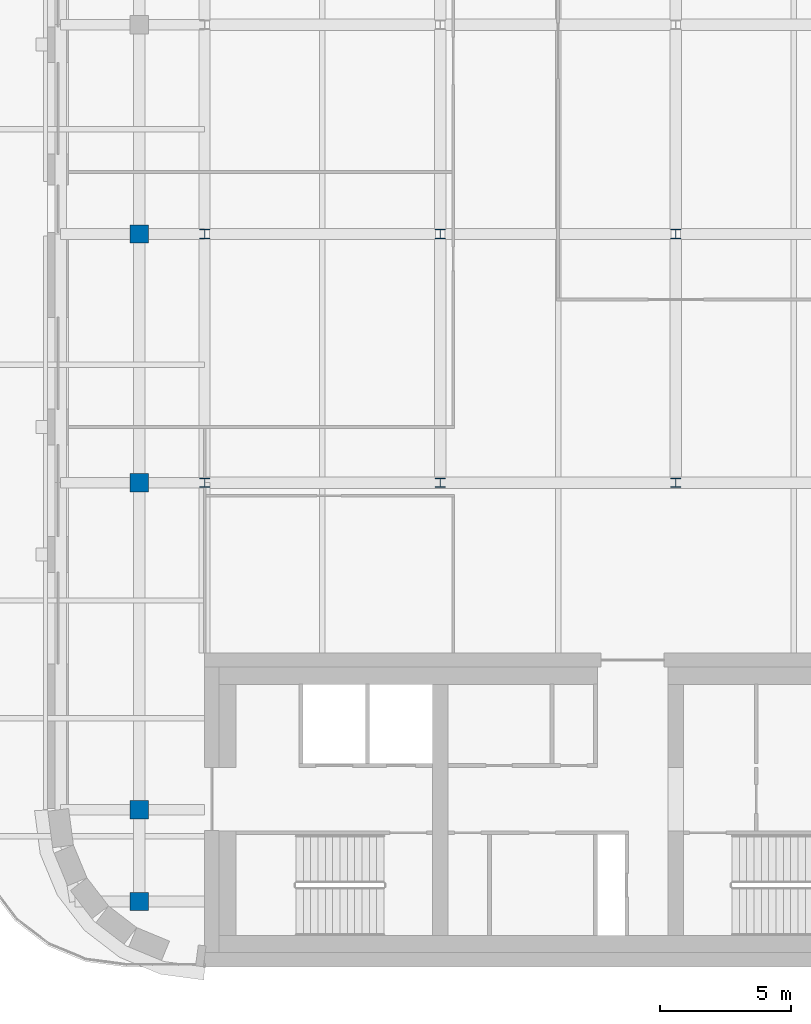
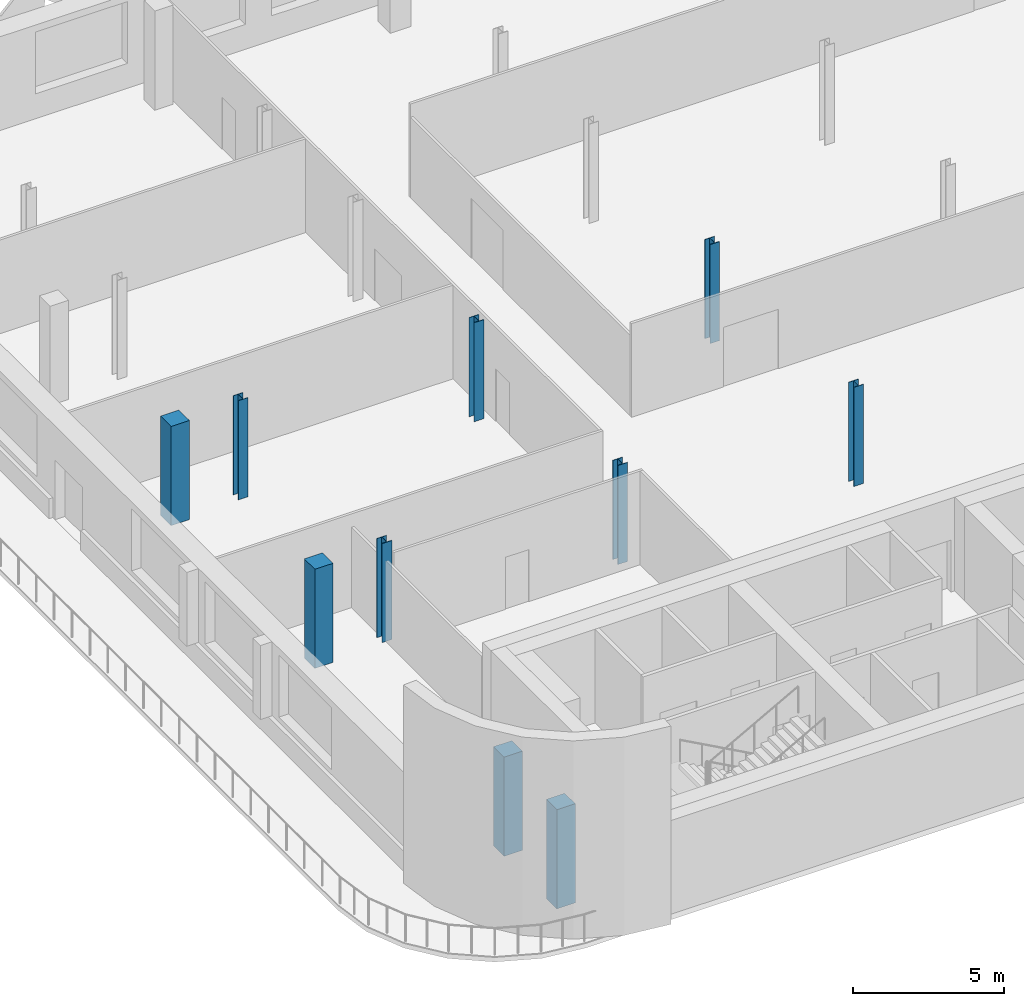
# One storey, part 1 of 15: 10 columns.
"""IFC4 building model written with IfcOpenShell, lengths in metres."""

from ifc_helpers import new_model, si_unit, direction, frame, origin, origin_2d, place, context, subcontext, project, spatial, rectangle, i_section, extrude, material, material_profile, profile_set, type_object, element, save


model = new_model("IFC4")

# Units and contexts
model_context = context("Model", 3, precision=1e-05, world=origin(), true_north=direction((0.0, 1.0)))
body_context = subcontext(model_context, "Body", "Model", "MODEL_VIEW")
ifc_project = project(units=[si_unit("LENGTHUNIT", "METRE"), si_unit("AREAUNIT", "SQUARE_METRE"), si_unit("VOLUMEUNIT", "CUBIC_METRE"), si_unit("PLANEANGLEUNIT", "RADIAN"), si_unit("MASSUNIT", "GRAM", prefix="KILO")], contexts=[model_context])

# Site, building, storey
site_placement = place(None, origin())
site = spatial("IfcSite", under=ifc_project, at=site_placement, CompositionType="ELEMENT")
building_placement = place(site_placement, origin())
building = spatial("IfcBuilding", under=site, at=building_placement, Name="Zellij Exchange Tower", CompositionType="ELEMENT")
storey_placement = place(building_placement, frame((0.0, 0.0, 284.5)))
storey = spatial("IfcBuildingStorey", under=building, at=storey_placement, Name="L67", CompositionType="ELEMENT", Elevation=284.5)

# Columns
ifc_material_1 = material(Name="Concrete C50/60", Category="concrete")
ifc_material_profile_1 = material_profile(ifc_material_1, rectangle(XDim=0.699951171875, YDim=0.699951171875, at=origin_2d()), Name="STR-COLUMN RC700x700 C50/60")
ifc_profile_set_1 = profile_set([ifc_material_profile_1], Name="Concrete C50/60")
column_type_1 = type_object("IfcColumnType", Name="STR-COLUMN RC700x700 C50/60", PredefinedType="COLUMN", material=ifc_profile_set_1)
for number, where, z_axis, x_axis, name in (
    (1, (-29.5, -11.5, 0.0), (0.0, 0.0, 1.0), (1.0, 0.0, 0.0), "C14"),
    (2, (-29.5, -8.0, 0.0), (0.0, 0.0, 1.0), (1.0, 0.0, 0.0), "C14"),
    (3, (-29.5, 4.5, 0.0), (0.0, 0.0, 1.0), (1.0, 0.0, 0.0), "C14"),
    (4, (-29.5, 14.0, 0.0), (0.0, 0.0, 1.0), (1.0, 0.0, 0.0), "C14"),
):
    element("IfcColumn", number, at=place(storey_placement, frame(where, z_axis=z_axis, x_axis=x_axis)), inside=storey, type_object=column_type_1, Name=name, PredefinedType="COLUMN", context=body_context, shape_type="SweptSolid", body=[
        extrude(rectangle(XDim=0.699951171875, YDim=0.699951171875, at=origin_2d()), origin(), (0.0, 0.0, 1.0), 4.0),
    ])
ifc_material_2 = material(Name="Structural steel ASTM A992 Gr 50", Category="steel")
ifc_material_profile_2 = material_profile(ifc_material_2, i_section(OverallWidth=0.368408203125, OverallDepth=0.355712890625, WebThickness=0.01123046875, FlangeThickness=0.01806640625, at=origin_2d()), Name="W14x90")
ifc_profile_set_2 = profile_set([ifc_material_profile_2], Name="Structural steel ASTM A992 Gr 50")
column_type_2 = type_object("IfcColumnType", Name="STR-COLUMN W14x90", PredefinedType="COLUMN", material=ifc_profile_set_2)
for number, where, z_axis, x_axis, name in (
    (5, (-27.0, 4.5, 0.0), (0.0, 0.0, 1.0), (1.0, 0.0, 0.0), "C8"),
    (6, (-18.0, 4.5, 0.0), (0.0, 0.0, 1.0), (1.0, 0.0, 0.0), "C8"),
    (7, (-9.0, 4.5, 0.0), (0.0, 0.0, 1.0), (1.0, 0.0, 0.0), "C8"),
    (8, (-27.0, 14.0, 0.0), (0.0, 0.0, 1.0), (1.0, 0.0, 0.0), "C8"),
    (9, (-18.0, 14.0, 0.0), (0.0, 0.0, 1.0), (1.0, 0.0, 0.0), "C8"),
    (10, (-9.0, 14.0, 0.0), (0.0, 0.0, 1.0), (1.0, 0.0, 0.0), "C8"),
):
    element("IfcColumn", number, at=place(storey_placement, frame(where, z_axis=z_axis, x_axis=x_axis)), inside=storey, type_object=column_type_2, Name=name, PredefinedType="COLUMN", context=body_context, shape_type="SweptSolid", body=[
        extrude(i_section(OverallWidth=0.368408203125, OverallDepth=0.355712890625, WebThickness=0.01123046875, FlangeThickness=0.01806640625, at=origin_2d()), origin(), (0.0, 0.0, 1.0), 4.0),
    ])

save(model, "model.ifc")
